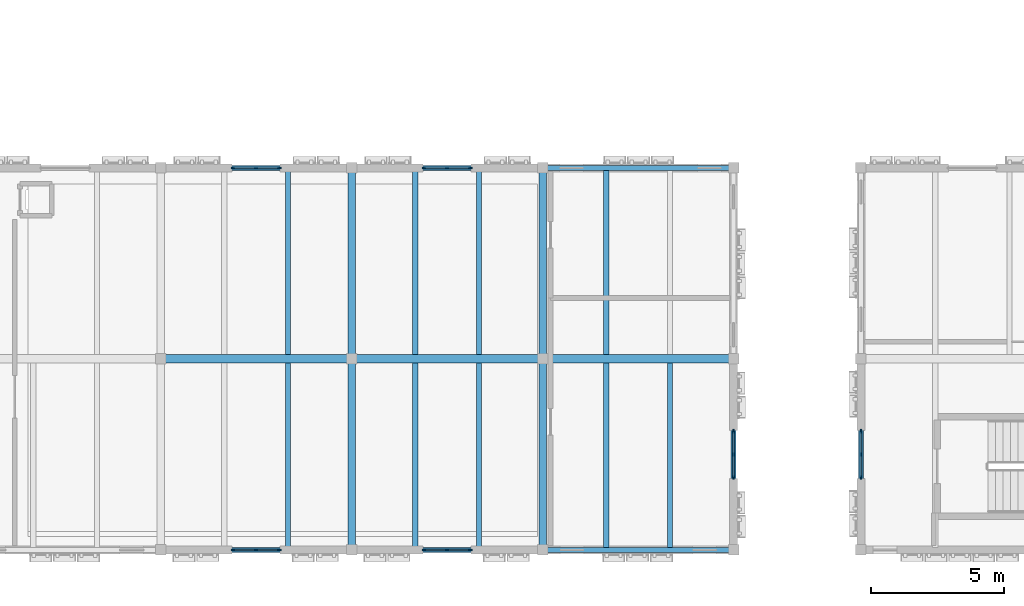
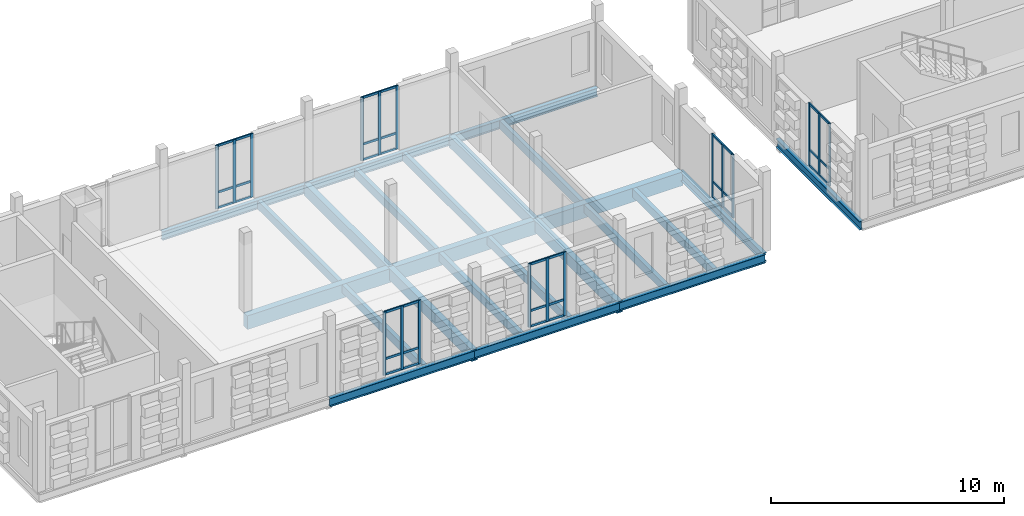
# One storey, part 14 of 81: 36 members, 24 beams, 6 elements without a shape of their own.
"""IFC4 building model written with IfcOpenShell, lengths in metres."""

from ifc_helpers import new_model, si_unit, direction, frame, origin, origin_2d, place, context, subcontext, project, spatial, rectangle, i_section, extrude, material, material_profile, profile_set, type_object, element, aggregate, save


model = new_model("IFC4")

# Units and contexts
model_context = context("Model", 3, precision=1e-05, world=origin(), true_north=direction((0.0, 1.0)))
body_context = subcontext(model_context, "Body", "Model", "MODEL_VIEW")
ifc_project = project(units=[si_unit("LENGTHUNIT", "METRE"), si_unit("AREAUNIT", "SQUARE_METRE"), si_unit("VOLUMEUNIT", "CUBIC_METRE"), si_unit("PLANEANGLEUNIT", "RADIAN"), si_unit("MASSUNIT", "GRAM", prefix="KILO")], contexts=[model_context])

# Site, building, storey
site_placement = place(None, origin())
site = spatial("IfcSite", under=ifc_project, at=site_placement, CompositionType="ELEMENT")
building_placement = place(site_placement, origin())
building = spatial("IfcBuilding", under=site, at=building_placement, Name="Kahlenmark Community Centre", CompositionType="ELEMENT")
storey_placement = place(building_placement, frame((0.0, 0.0, 9.60009765625)))
storey = spatial("IfcBuildingStorey", under=building, at=storey_placement, Name="L02", CompositionType="ELEMENT", Elevation=9.60009765625)

# Beams
ifc_material_1 = material(Name="Glulam GL32h", Category="wood")
ifc_material_profile_1 = material_profile(ifc_material_1, rectangle(XDim=0.280029296875, YDim=0.60009765625, at=origin_2d()), Name="GL32h 280x600")
ifc_profile_set_1 = profile_set([ifc_material_profile_1], Name="Glulam GL32h")
beam_type_1 = type_object("IfcBeamType", Name="BT-BEAM-GL32h280x600", PredefinedType="BEAM", material=ifc_profile_set_1)
for number, where, z_axis, x_axis, name in (
    (1, (72.39990234375, 8.800048828125, -0.52001953125), (0.0, 1.0, 0.0), (-1.0, 0.0, 0.0), "L02 beam BG-GL32h280x600"),
    (2, (72.39990234375, 16.0, -0.52001953125), (0.0, 1.0, 0.0), (-1.0, 0.0, 0.0), "L02 beam BG-GL32h280x600"),
    (3, (79.60009765625, 8.800048828125, -0.52001953125), (0.0, 1.0, 0.0), (-1.0, 0.0, 0.0), "L02 beam BG-GL32h280x600"),
    (4, (79.60009765625, 16.0, -0.52001953125), (0.0, 1.0, 0.0), (-1.0, 0.0, 0.0), "L02 beam BG-GL32h280x600"),
):
    element("IfcBeam", number, at=place(storey_placement, frame(where, z_axis=z_axis, x_axis=x_axis)), inside=storey, type_object=beam_type_1, Name=name, PredefinedType="BEAM", context=body_context, shape_type="SweptSolid", body=[
        extrude(rectangle(XDim=0.280029296875, YDim=0.60009765625, at=origin_2d()), origin(), (0.0, 0.0, 1.0), 7.199951171875),
    ])
ifc_material_profile_2 = material_profile(ifc_material_1, rectangle(XDim=0.320068359375, YDim=0.719970703125, at=origin_2d()), Name="GL32h 320x720")
ifc_profile_set_2 = profile_set([ifc_material_profile_2], Name="Glulam GL32h")
beam_type_2 = type_object("IfcBeamType", Name="BT-BEAM-GL32h320x720", PredefinedType="BEAM", material=ifc_profile_set_2)
beam_1_placement = place(storey_placement, frame((65.199951171875, 16.0, -0.580078125), z_axis=(1.0, 0.0, 0.0), x_axis=(0.0, 1.0, 0.0)))
element("IfcBeam", 5, at=beam_1_placement, inside=storey, type_object=beam_type_2, Name="L02 beam BG-GL32h320x720", PredefinedType="BEAM", context=body_context, shape_type="SweptSolid", body=[
    extrude(rectangle(XDim=0.320068359375, YDim=0.719970703125, at=origin_2d()), origin(), (0.0, 0.0, 1.0), 7.199951171875),
])
beam_2_placement = place(storey_placement, frame((72.39990234375, 16.0, -0.580078125), z_axis=(1.0, 0.0, 0.0), x_axis=(0.0, 1.0, 0.0)))
element("IfcBeam", 6, at=beam_2_placement, inside=storey, type_object=beam_type_2, Name="L02 beam BG-GL32h320x720", PredefinedType="BEAM", context=body_context, shape_type="SweptSolid", body=[
    extrude(rectangle(XDim=0.320068359375, YDim=0.719970703125, at=origin_2d()), origin(), (0.0, 0.0, 1.0), 7.2001953125),
])
beam_3_placement = place(storey_placement, frame((79.60009765625, 16.0, -0.580078125), z_axis=(1.0, 0.0, 0.0), x_axis=(0.0, 1.0, 0.0)))
element("IfcBeam", 7, at=beam_3_placement, inside=storey, type_object=beam_type_2, Name="L02 beam BG-GL32h320x720", PredefinedType="BEAM", context=body_context, shape_type="SweptSolid", body=[
    extrude(rectangle(XDim=0.320068359375, YDim=0.719970703125, at=origin_2d()), origin(), (0.0, 0.0, 1.0), 7.199951171875),
])
ifc_material_2 = material(Name="Glulam GL28h", Category="wood")
ifc_material_profile_3 = material_profile(ifc_material_2, rectangle(XDim=0.199951171875, YDim=0.43994140625, at=origin_2d()), Name="GL28h 200x440")
ifc_profile_set_3 = profile_set([ifc_material_profile_3], Name="Glulam GL28h")
beam_type_3 = type_object("IfcBeamType", Name="BT-JOIST-GL28h200x440", PredefinedType="JOIST", material=ifc_profile_set_3)
for number, where, z_axis, x_axis, name in (
    (8, (70.0, 8.89306640625, -0.440185546875), (0.0, 1.0, 0.0), (-1.0, 0.0, 0.0), "L02 joist BJ-GL28h200x440"),
    (9, (70.0, 16.157958984375, -0.440185546875), (0.0, 1.0, 0.0), (-1.0, 0.0, 0.0), "L02 joist BJ-GL28h200x440"),
    (10, (74.800048828125, 8.89306640625, -0.440185546875), (0.0, 1.0, 0.0), (-1.0, 0.0, 0.0), "L02 joist BJ-GL28h200x440"),
    (11, (77.199951171875, 8.89306640625, -0.440185546875), (0.0, 1.0, 0.0), (-1.0, 0.0, 0.0), "L02 joist BJ-GL28h200x440"),
    (12, (74.800048828125, 16.157958984375, -0.440185546875), (0.0, 1.0, 0.0), (-1.0, 0.0, 0.0), "L02 joist BJ-GL28h200x440"),
    (13, (77.199951171875, 16.157958984375, -0.440185546875), (0.0, 1.0, 0.0), (-1.0, 0.0, 0.0), "L02 joist BJ-GL28h200x440"),
    (14, (82.0, 8.89306640625, -0.440185546875), (0.0, 1.0, 0.0), (-1.0, 0.0, 0.0), "L02 joist BJ-GL28h200x440"),
    (15, (84.39990234375, 8.89306640625, -0.440185546875), (0.0, 1.0, 0.0), (-1.0, 0.0, 0.0), "L02 joist BJ-GL28h200x440"),
    (16, (82.0, 16.157958984375, -0.440185546875), (0.0, 1.0, 0.0), (-1.0, 0.0, 0.0), "L02 joist BJ-GL28h200x440"),
):
    element("IfcBeam", number, at=place(storey_placement, frame(where, z_axis=z_axis, x_axis=x_axis)), inside=storey, type_object=beam_type_3, Name=name, PredefinedType="JOIST", context=body_context, shape_type="SweptSolid", body=[
        extrude(rectangle(XDim=0.199951171875, YDim=0.43994140625, at=origin_2d()), origin(), (0.0, 0.0, 1.0), 6.948974609375),
    ])
ifc_material_3 = material(Name="Steel S355", Category="steel")
ifc_material_profile_4 = material_profile(ifc_material_3, i_section(OverallWidth=0.18994140625, OverallDepth=0.449951171875, WebThickness=0.009521484375, FlangeThickness=0.0146484375, at=origin_2d()), Name="IPE 450")
ifc_profile_set_4 = profile_set([ifc_material_profile_4], Name="Steel S355")
beam_type_4 = type_object("IfcBeamType", Name="BT-SPANDREL-IPE450", PredefinedType="SPANDREL", material=ifc_profile_set_4)
beam_4_placement = place(storey_placement, frame((65.199951171875, 8.800048828125, -0.445068359375), z_axis=(1.0, 0.0, 0.0), x_axis=(0.0, 1.0, 0.0)))
element("IfcBeam", 17, at=beam_4_placement, inside=storey, type_object=beam_type_4, Name="L02 spandrel SP-IPE450", PredefinedType="SPANDREL", context=body_context, shape_type="SweptSolid", body=[
    extrude(i_section(OverallWidth=0.18994140625, OverallDepth=0.449951171875, WebThickness=0.009521484375, FlangeThickness=0.0146484375, at=origin_2d()), origin(), (0.0, 0.0, 1.0), 7.199951171875),
])
beam_5_placement = place(storey_placement, frame((72.39990234375, 8.800048828125, -0.445068359375), z_axis=(1.0, 0.0, 0.0), x_axis=(0.0, 1.0, 0.0)))
element("IfcBeam", 18, at=beam_5_placement, inside=storey, type_object=beam_type_4, Name="L02 spandrel SP-IPE450", PredefinedType="SPANDREL", context=body_context, shape_type="SweptSolid", body=[
    extrude(i_section(OverallWidth=0.18994140625, OverallDepth=0.449951171875, WebThickness=0.009521484375, FlangeThickness=0.0146484375, at=origin_2d()), origin(), (0.0, 0.0, 1.0), 7.2001953125),
])
for number, where, z_axis, x_axis, name in (
    (19, (79.60009765625, 8.800048828125, -0.445068359375), (1.0, 0.0, 0.0), (0.0, 1.0, 0.0), "L02 spandrel SP-IPE450"),
    (20, (65.199951171875, 23.199951171875, -0.445068359375), (1.0, 0.0, 0.0), (0.0, 1.0, 0.0), "L02 spandrel SP-IPE450"),
):
    element("IfcBeam", number, at=place(storey_placement, frame(where, z_axis=z_axis, x_axis=x_axis)), inside=storey, type_object=beam_type_4, Name=name, PredefinedType="SPANDREL", context=body_context, shape_type="SweptSolid", body=[
        extrude(i_section(OverallWidth=0.18994140625, OverallDepth=0.449951171875, WebThickness=0.009521484375, FlangeThickness=0.0146484375, at=origin_2d()), origin(), (0.0, 0.0, 1.0), 7.199951171875),
    ])
beam_6_placement = place(storey_placement, frame((72.39990234375, 23.199951171875, -0.445068359375), z_axis=(1.0, 0.0, 0.0), x_axis=(0.0, 1.0, 0.0)))
element("IfcBeam", 21, at=beam_6_placement, inside=storey, type_object=beam_type_4, Name="L02 spandrel SP-IPE450", PredefinedType="SPANDREL", context=body_context, shape_type="SweptSolid", body=[
    extrude(i_section(OverallWidth=0.18994140625, OverallDepth=0.449951171875, WebThickness=0.009521484375, FlangeThickness=0.0146484375, at=origin_2d()), origin(), (0.0, 0.0, 1.0), 7.2001953125),
])
for number, where, z_axis, x_axis, name in (
    (22, (79.60009765625, 23.199951171875, -0.445068359375), (1.0, 0.0, 0.0), (0.0, 1.0, 0.0), "L02 spandrel SP-IPE450"),
    (23, (86.800048828125, 8.800048828125, -0.445068359375), (0.0, 1.0, 0.0), (-1.0, 0.0, 0.0), "L02 spandrel SP-IPE450"),
    (24, (91.60009765625, 8.800048828125, -0.445068359375), (0.0, 1.0, 0.0), (-1.0, 0.0, 0.0), "L02 spandrel SP-IPE450"),
):
    element("IfcBeam", number, at=place(storey_placement, frame(where, z_axis=z_axis, x_axis=x_axis)), inside=storey, type_object=beam_type_4, Name=name, PredefinedType="SPANDREL", context=body_context, shape_type="SweptSolid", body=[
        extrude(i_section(OverallWidth=0.18994140625, OverallDepth=0.449951171875, WebThickness=0.009521484375, FlangeThickness=0.0146484375, at=origin_2d()), origin(), (0.0, 0.0, 1.0), 7.199951171875),
    ])

# Curtain wall, members
ifc_material_4 = material(Name="Anodised aluminium unitised curtain wall", Category="aluminium")
curtain_wall_type_1 = type_object("IfcCurtainWallType", Name="CWT-UNIT-180X333", PredefinedType="USERDEFINED", material=ifc_material_4)
curtain_wall_1_placement = place(storey_placement, origin())
curtain_wall_1 = element("IfcCurtainWall", 25, at=curtain_wall_1_placement, inside=storey, type_object=curtain_wall_type_1, Name="Unitised curtain wall CW-081", ObjectType="UNITISED CURTAIN WALL", PredefinedType="USERDEFINED")
ifc_material_5 = material(Name="Anodised aluminium 6063-T6", Category="aluminium")
ifc_material_profile_5 = material_profile(ifc_material_5, rectangle(XDim=0.06005859375, YDim=0.139892578125, at=origin_2d()), Name="ALU MULLION 60x140")
ifc_profile_set_5 = profile_set([ifc_material_profile_5], Name="Anodised aluminium 6063-T6")
member_type_1 = type_object("IfcMemberType", Name="MT-MUL-140", PredefinedType="MULLION", material=ifc_profile_set_5)
member_1_placement = place(storey_placement, frame((67.929931640625, 8.800048828125, 0.0), z_axis=(0.0, 0.0, 1.0), x_axis=(0.0, 1.0, 0.0)))
member_1 = element("IfcMember", 26, at=member_1_placement, type_object=member_type_1, Name="CW-081 mullion 1", PredefinedType="MULLION", context=body_context, shape_type="SweptSolid", body=[
    extrude(rectangle(XDim=0.06005859375, YDim=0.139892578125, at=origin_2d()), origin(), (0.0, 0.0, 1.0), 3.329833984375),
])
member_2_placement = place(storey_placement, frame((68.800048828125, 8.800048828125, 0.0), z_axis=(0.0, 0.0, 1.0), x_axis=(0.0, 1.0, 0.0)))
member_2 = element("IfcMember", 27, at=member_2_placement, type_object=member_type_1, Name="CW-081 mullion 2", PredefinedType="MULLION", context=body_context, shape_type="SweptSolid", body=[
    extrude(rectangle(XDim=0.06005859375, YDim=0.139892578125, at=origin_2d()), origin(), (0.0, 0.0, 1.0), 3.329833984375),
])
member_3_placement = place(storey_placement, frame((69.669921875, 8.800048828125, 0.0), z_axis=(0.0, 0.0, 1.0), x_axis=(0.0, 1.0, 0.0)))
member_3 = element("IfcMember", 28, at=member_3_placement, type_object=member_type_1, Name="CW-081 mullion 3", PredefinedType="MULLION", context=body_context, shape_type="SweptSolid", body=[
    extrude(rectangle(XDim=0.06005859375, YDim=0.139892578125, at=origin_2d()), origin(), (0.0, 0.0, 1.0), 3.329833984375),
])

curtain_wall_2_placement = place(storey_placement, origin())
curtain_wall_2 = element("IfcCurtainWall", 29, at=curtain_wall_2_placement, inside=storey, type_object=curtain_wall_type_1, Name="Unitised curtain wall CW-082", ObjectType="UNITISED CURTAIN WALL", PredefinedType="USERDEFINED")
member_4_placement = place(storey_placement, frame((75.1298828125, 8.800048828125, 0.0), z_axis=(0.0, 0.0, 1.0), x_axis=(0.0, 1.0, 0.0)))
member_4 = element("IfcMember", 30, at=member_4_placement, type_object=member_type_1, Name="CW-082 mullion 1", PredefinedType="MULLION", context=body_context, shape_type="SweptSolid", body=[
    extrude(rectangle(XDim=0.06005859375, YDim=0.139892578125, at=origin_2d()), origin(), (0.0, 0.0, 1.0), 3.329833984375),
])
member_5_placement = place(storey_placement, frame((76.0, 8.800048828125, 0.0), z_axis=(0.0, 0.0, 1.0), x_axis=(0.0, 1.0, 0.0)))
member_5 = element("IfcMember", 31, at=member_5_placement, type_object=member_type_1, Name="CW-082 mullion 2", PredefinedType="MULLION", context=body_context, shape_type="SweptSolid", body=[
    extrude(rectangle(XDim=0.06005859375, YDim=0.139892578125, at=origin_2d()), origin(), (0.0, 0.0, 1.0), 3.329833984375),
])
member_6_placement = place(storey_placement, frame((76.8701171875, 8.800048828125, 0.0), z_axis=(0.0, 0.0, 1.0), x_axis=(0.0, 1.0, 0.0)))
member_6 = element("IfcMember", 32, at=member_6_placement, type_object=member_type_1, Name="CW-082 mullion 3", PredefinedType="MULLION", context=body_context, shape_type="SweptSolid", body=[
    extrude(rectangle(XDim=0.06005859375, YDim=0.139892578125, at=origin_2d()), origin(), (0.0, 0.0, 1.0), 3.329833984375),
])

curtain_wall_3_placement = place(storey_placement, origin())
curtain_wall_3 = element("IfcCurtainWall", 33, at=curtain_wall_3_placement, inside=storey, type_object=curtain_wall_type_1, Name="Unitised curtain wall CW-085", ObjectType="UNITISED CURTAIN WALL", PredefinedType="USERDEFINED")
member_7_placement = place(storey_placement, frame((69.669921875, 23.199951171875, 0.0), z_axis=(0.0, 0.0, 1.0), x_axis=(0.0, -1.0, 0.0)))
member_7 = element("IfcMember", 34, at=member_7_placement, type_object=member_type_1, Name="CW-085 mullion 1", PredefinedType="MULLION", context=body_context, shape_type="SweptSolid", body=[
    extrude(rectangle(XDim=0.06005859375, YDim=0.139892578125, at=origin_2d()), origin(), (0.0, 0.0, 1.0), 3.329833984375),
])
member_8_placement = place(storey_placement, frame((68.800048828125, 23.199951171875, 0.0), z_axis=(0.0, 0.0, 1.0), x_axis=(0.0, -1.0, 0.0)))
member_8 = element("IfcMember", 35, at=member_8_placement, type_object=member_type_1, Name="CW-085 mullion 2", PredefinedType="MULLION", context=body_context, shape_type="SweptSolid", body=[
    extrude(rectangle(XDim=0.06005859375, YDim=0.139892578125, at=origin_2d()), origin(), (0.0, 0.0, 1.0), 3.329833984375),
])
member_9_placement = place(storey_placement, frame((67.929931640625, 23.199951171875, 0.0), z_axis=(0.0, 0.0, 1.0), x_axis=(0.0, -1.0, 0.0)))
member_9 = element("IfcMember", 36, at=member_9_placement, type_object=member_type_1, Name="CW-085 mullion 3", PredefinedType="MULLION", context=body_context, shape_type="SweptSolid", body=[
    extrude(rectangle(XDim=0.06005859375, YDim=0.139892578125, at=origin_2d()), origin(), (0.0, 0.0, 1.0), 3.329833984375),
])

curtain_wall_4_placement = place(storey_placement, origin())
curtain_wall_4 = element("IfcCurtainWall", 37, at=curtain_wall_4_placement, inside=storey, type_object=curtain_wall_type_1, Name="Unitised curtain wall CW-086", ObjectType="UNITISED CURTAIN WALL", PredefinedType="USERDEFINED")
member_10_placement = place(storey_placement, frame((76.8701171875, 23.199951171875, 0.0), z_axis=(0.0, 0.0, 1.0), x_axis=(0.0, -1.0, 0.0)))
member_10 = element("IfcMember", 38, at=member_10_placement, type_object=member_type_1, Name="CW-086 mullion 1", PredefinedType="MULLION", context=body_context, shape_type="SweptSolid", body=[
    extrude(rectangle(XDim=0.06005859375, YDim=0.139892578125, at=origin_2d()), origin(), (0.0, 0.0, 1.0), 3.329833984375),
])
member_11_placement = place(storey_placement, frame((76.0, 23.199951171875, 0.0), z_axis=(0.0, 0.0, 1.0), x_axis=(0.0, -1.0, 0.0)))
member_11 = element("IfcMember", 39, at=member_11_placement, type_object=member_type_1, Name="CW-086 mullion 2", PredefinedType="MULLION", context=body_context, shape_type="SweptSolid", body=[
    extrude(rectangle(XDim=0.06005859375, YDim=0.139892578125, at=origin_2d()), origin(), (0.0, 0.0, 1.0), 3.329833984375),
])
member_12_placement = place(storey_placement, frame((75.1298828125, 23.199951171875, 0.0), z_axis=(0.0, 0.0, 1.0), x_axis=(0.0, -1.0, 0.0)))
member_12 = element("IfcMember", 40, at=member_12_placement, type_object=member_type_1, Name="CW-086 mullion 3", PredefinedType="MULLION", context=body_context, shape_type="SweptSolid", body=[
    extrude(rectangle(XDim=0.06005859375, YDim=0.139892578125, at=origin_2d()), origin(), (0.0, 0.0, 1.0), 3.329833984375),
])

curtain_wall_5_placement = place(storey_placement, origin())
curtain_wall_5 = element("IfcCurtainWall", 41, at=curtain_wall_5_placement, inside=storey, type_object=curtain_wall_type_1, Name="Unitised curtain wall CW-088", ObjectType="UNITISED CURTAIN WALL", PredefinedType="USERDEFINED")
member_13_placement = place(storey_placement, frame((86.800048828125, 11.530029296875, 0.0), z_axis=(0.0, 0.0, 1.0), x_axis=(-1.0, 0.0, 0.0)))
member_13 = element("IfcMember", 42, at=member_13_placement, type_object=member_type_1, Name="CW-088 mullion 1", PredefinedType="MULLION", context=body_context, shape_type="SweptSolid", body=[
    extrude(rectangle(XDim=0.06005859375, YDim=0.139892578125, at=origin_2d()), origin(), (0.0, 0.0, 1.0), 3.329833984375),
])
member_14_placement = place(storey_placement, frame((86.800048828125, 12.39990234375, 0.0), z_axis=(0.0, 0.0, 1.0), x_axis=(-1.0, 0.0, 0.0)))
member_14 = element("IfcMember", 43, at=member_14_placement, type_object=member_type_1, Name="CW-088 mullion 2", PredefinedType="MULLION", context=body_context, shape_type="SweptSolid", body=[
    extrude(rectangle(XDim=0.06005859375, YDim=0.139892578125, at=origin_2d()), origin(), (0.0, 0.0, 1.0), 3.329833984375),
])
member_15_placement = place(storey_placement, frame((86.800048828125, 13.27001953125, 0.0), z_axis=(0.0, 0.0, 1.0), x_axis=(-1.0, 0.0, 0.0)))
member_15 = element("IfcMember", 44, at=member_15_placement, type_object=member_type_1, Name="CW-088 mullion 3", PredefinedType="MULLION", context=body_context, shape_type="SweptSolid", body=[
    extrude(rectangle(XDim=0.06005859375, YDim=0.139892578125, at=origin_2d()), origin(), (0.0, 0.0, 1.0), 3.329833984375),
])

curtain_wall_type_2 = type_object("IfcCurtainWallType", Name="CWT-UNIT-180X327", PredefinedType="USERDEFINED", material=ifc_material_4)
curtain_wall_6_placement = place(storey_placement, origin())
curtain_wall_6 = element("IfcCurtainWall", 45, at=curtain_wall_6_placement, inside=storey, type_object=curtain_wall_type_2, Name="Unitised curtain wall CW-104", ObjectType="UNITISED CURTAIN WALL", PredefinedType="USERDEFINED")
member_16_placement = place(storey_placement, frame((91.60009765625, 13.27001953125, 0.0), z_axis=(0.0, 0.0, 1.0), x_axis=(1.0, 0.0, 0.0)))
member_16 = element("IfcMember", 46, at=member_16_placement, type_object=member_type_1, Name="CW-104 mullion 1", PredefinedType="MULLION", context=body_context, shape_type="SweptSolid", body=[
    extrude(rectangle(XDim=0.06005859375, YDim=0.139892578125, at=origin_2d()), origin(), (0.0, 0.0, 1.0), 3.27001953125),
])
member_17_placement = place(storey_placement, frame((91.60009765625, 12.39990234375, 0.0), z_axis=(0.0, 0.0, 1.0), x_axis=(1.0, 0.0, 0.0)))
member_17 = element("IfcMember", 47, at=member_17_placement, type_object=member_type_1, Name="CW-104 mullion 2", PredefinedType="MULLION", context=body_context, shape_type="SweptSolid", body=[
    extrude(rectangle(XDim=0.06005859375, YDim=0.139892578125, at=origin_2d()), origin(), (0.0, 0.0, 1.0), 3.27001953125),
])
member_18_placement = place(storey_placement, frame((91.60009765625, 11.530029296875, 0.0), z_axis=(0.0, 0.0, 1.0), x_axis=(1.0, 0.0, 0.0)))
member_18 = element("IfcMember", 48, at=member_18_placement, type_object=member_type_1, Name="CW-104 mullion 3", PredefinedType="MULLION", context=body_context, shape_type="SweptSolid", body=[
    extrude(rectangle(XDim=0.06005859375, YDim=0.139892578125, at=origin_2d()), origin(), (0.0, 0.0, 1.0), 3.27001953125),
])

# Member
ifc_material_profile_6 = material_profile(ifc_material_5, rectangle(XDim=0.06005859375, YDim=0.1201171875, at=origin_2d()), Name="ALU TRANSOM 60x120")
ifc_profile_set_6 = profile_set([ifc_material_profile_6], Name="Anodised aluminium 6063-T6")
member_type_2 = type_object("IfcMemberType", Name="MT-TRN-120", PredefinedType="USERDEFINED", material=ifc_profile_set_6)
member_19_placement = place(storey_placement, frame((67.929931640625, 8.800048828125, 0.039794921875), z_axis=(1.0, 0.0, 0.0), x_axis=(0.0, 1.0, 0.0)))
member_19 = element("IfcMember", 49, at=member_19_placement, type_object=member_type_2, Name="CW-081 transom 1", ObjectType="TRANSOM", PredefinedType="USERDEFINED", context=body_context, shape_type="SweptSolid", body=[
    extrude(rectangle(XDim=0.06005859375, YDim=0.1201171875, at=origin_2d()), origin(), (0.0, 0.0, 1.0), 1.739990234375),
])

member_20_placement = place(storey_placement, frame((67.929931640625, 8.800048828125, 0.849853515625), z_axis=(1.0, 0.0, 0.0), x_axis=(0.0, 1.0, 0.0)))
member_20 = element("IfcMember", 50, at=member_20_placement, type_object=member_type_2, Name="CW-081 transom 2", ObjectType="TRANSOM", PredefinedType="USERDEFINED", context=body_context, shape_type="SweptSolid", body=[
    extrude(rectangle(XDim=0.06005859375, YDim=0.1201171875, at=origin_2d()), origin(), (0.0, 0.0, 1.0), 1.739990234375),
])

member_21_placement = place(storey_placement, frame((67.929931640625, 8.800048828125, 3.289794921875), z_axis=(1.0, 0.0, 0.0), x_axis=(0.0, 1.0, 0.0)))
member_21 = element("IfcMember", 51, at=member_21_placement, type_object=member_type_2, Name="CW-081 transom 3", ObjectType="TRANSOM", PredefinedType="USERDEFINED", context=body_context, shape_type="SweptSolid", body=[
    extrude(rectangle(XDim=0.06005859375, YDim=0.1201171875, at=origin_2d()), origin(), (0.0, 0.0, 1.0), 1.739990234375),
])

aggregate(curtain_wall_1, [member_1, member_2, member_3, member_19, member_20, member_21])

member_22_placement = place(storey_placement, frame((75.1298828125, 8.800048828125, 0.039794921875), z_axis=(1.0, 0.0, 0.0), x_axis=(0.0, 1.0, 0.0)))
member_22 = element("IfcMember", 52, at=member_22_placement, type_object=member_type_2, Name="CW-082 transom 1", ObjectType="TRANSOM", PredefinedType="USERDEFINED", context=body_context, shape_type="SweptSolid", body=[
    extrude(rectangle(XDim=0.06005859375, YDim=0.1201171875, at=origin_2d()), origin(), (0.0, 0.0, 1.0), 1.740234375),
])

member_23_placement = place(storey_placement, frame((75.1298828125, 8.800048828125, 0.849853515625), z_axis=(1.0, 0.0, 0.0), x_axis=(0.0, 1.0, 0.0)))
member_23 = element("IfcMember", 53, at=member_23_placement, type_object=member_type_2, Name="CW-082 transom 2", ObjectType="TRANSOM", PredefinedType="USERDEFINED", context=body_context, shape_type="SweptSolid", body=[
    extrude(rectangle(XDim=0.06005859375, YDim=0.1201171875, at=origin_2d()), origin(), (0.0, 0.0, 1.0), 1.740234375),
])

member_24_placement = place(storey_placement, frame((75.1298828125, 8.800048828125, 3.289794921875), z_axis=(1.0, 0.0, 0.0), x_axis=(0.0, 1.0, 0.0)))
member_24 = element("IfcMember", 54, at=member_24_placement, type_object=member_type_2, Name="CW-082 transom 3", ObjectType="TRANSOM", PredefinedType="USERDEFINED", context=body_context, shape_type="SweptSolid", body=[
    extrude(rectangle(XDim=0.06005859375, YDim=0.1201171875, at=origin_2d()), origin(), (0.0, 0.0, 1.0), 1.740234375),
])

aggregate(curtain_wall_2, [member_4, member_5, member_6, member_22, member_23, member_24])

member_25_placement = place(storey_placement, frame((69.669921875, 23.199951171875, 0.039794921875), z_axis=(-1.0, 0.0, 0.0), x_axis=(0.0, -1.0, 0.0)))
member_25 = element("IfcMember", 55, at=member_25_placement, type_object=member_type_2, Name="CW-085 transom 1", ObjectType="TRANSOM", PredefinedType="USERDEFINED", context=body_context, shape_type="SweptSolid", body=[
    extrude(rectangle(XDim=0.06005859375, YDim=0.1201171875, at=origin_2d()), origin(), (0.0, 0.0, 1.0), 1.739990234375),
])

member_26_placement = place(storey_placement, frame((69.669921875, 23.199951171875, 0.849853515625), z_axis=(-1.0, 0.0, 0.0), x_axis=(0.0, -1.0, 0.0)))
member_26 = element("IfcMember", 56, at=member_26_placement, type_object=member_type_2, Name="CW-085 transom 2", ObjectType="TRANSOM", PredefinedType="USERDEFINED", context=body_context, shape_type="SweptSolid", body=[
    extrude(rectangle(XDim=0.06005859375, YDim=0.1201171875, at=origin_2d()), origin(), (0.0, 0.0, 1.0), 1.739990234375),
])

member_27_placement = place(storey_placement, frame((69.669921875, 23.199951171875, 3.289794921875), z_axis=(-1.0, 0.0, 0.0), x_axis=(0.0, -1.0, 0.0)))
member_27 = element("IfcMember", 57, at=member_27_placement, type_object=member_type_2, Name="CW-085 transom 3", ObjectType="TRANSOM", PredefinedType="USERDEFINED", context=body_context, shape_type="SweptSolid", body=[
    extrude(rectangle(XDim=0.06005859375, YDim=0.1201171875, at=origin_2d()), origin(), (0.0, 0.0, 1.0), 1.739990234375),
])

aggregate(curtain_wall_3, [member_7, member_8, member_9, member_25, member_26, member_27])

member_28_placement = place(storey_placement, frame((76.8701171875, 23.199951171875, 0.039794921875), z_axis=(-1.0, 0.0, 0.0), x_axis=(0.0, -1.0, 0.0)))
member_28 = element("IfcMember", 58, at=member_28_placement, type_object=member_type_2, Name="CW-086 transom 1", ObjectType="TRANSOM", PredefinedType="USERDEFINED", context=body_context, shape_type="SweptSolid", body=[
    extrude(rectangle(XDim=0.06005859375, YDim=0.1201171875, at=origin_2d()), origin(), (0.0, 0.0, 1.0), 1.740234375),
])

member_29_placement = place(storey_placement, frame((76.8701171875, 23.199951171875, 0.849853515625), z_axis=(-1.0, 0.0, 0.0), x_axis=(0.0, -1.0, 0.0)))
member_29 = element("IfcMember", 59, at=member_29_placement, type_object=member_type_2, Name="CW-086 transom 2", ObjectType="TRANSOM", PredefinedType="USERDEFINED", context=body_context, shape_type="SweptSolid", body=[
    extrude(rectangle(XDim=0.06005859375, YDim=0.1201171875, at=origin_2d()), origin(), (0.0, 0.0, 1.0), 1.740234375),
])

member_30_placement = place(storey_placement, frame((76.8701171875, 23.199951171875, 3.289794921875), z_axis=(-1.0, 0.0, 0.0), x_axis=(0.0, -1.0, 0.0)))
member_30 = element("IfcMember", 60, at=member_30_placement, type_object=member_type_2, Name="CW-086 transom 3", ObjectType="TRANSOM", PredefinedType="USERDEFINED", context=body_context, shape_type="SweptSolid", body=[
    extrude(rectangle(XDim=0.06005859375, YDim=0.1201171875, at=origin_2d()), origin(), (0.0, 0.0, 1.0), 1.740234375),
])

aggregate(curtain_wall_4, [member_10, member_11, member_12, member_28, member_29, member_30])

member_31_placement = place(storey_placement, frame((86.800048828125, 11.530029296875, 0.039794921875), z_axis=(0.0, 1.0, 0.0), x_axis=(-1.0, 0.0, 0.0)))
member_31 = element("IfcMember", 61, at=member_31_placement, type_object=member_type_2, Name="CW-088 transom 1", ObjectType="TRANSOM", PredefinedType="USERDEFINED", context=body_context, shape_type="SweptSolid", body=[
    extrude(rectangle(XDim=0.06005859375, YDim=0.1201171875, at=origin_2d()), origin(), (0.0, 0.0, 1.0), 1.739990234375),
])

member_32_placement = place(storey_placement, frame((86.800048828125, 11.530029296875, 0.849853515625), z_axis=(0.0, 1.0, 0.0), x_axis=(-1.0, 0.0, 0.0)))
member_32 = element("IfcMember", 62, at=member_32_placement, type_object=member_type_2, Name="CW-088 transom 2", ObjectType="TRANSOM", PredefinedType="USERDEFINED", context=body_context, shape_type="SweptSolid", body=[
    extrude(rectangle(XDim=0.06005859375, YDim=0.1201171875, at=origin_2d()), origin(), (0.0, 0.0, 1.0), 1.739990234375),
])

member_33_placement = place(storey_placement, frame((86.800048828125, 11.530029296875, 3.289794921875), z_axis=(0.0, 1.0, 0.0), x_axis=(-1.0, 0.0, 0.0)))
member_33 = element("IfcMember", 63, at=member_33_placement, type_object=member_type_2, Name="CW-088 transom 3", ObjectType="TRANSOM", PredefinedType="USERDEFINED", context=body_context, shape_type="SweptSolid", body=[
    extrude(rectangle(XDim=0.06005859375, YDim=0.1201171875, at=origin_2d()), origin(), (0.0, 0.0, 1.0), 1.739990234375),
])

aggregate(curtain_wall_5, [member_13, member_14, member_15, member_31, member_32, member_33])

member_34_placement = place(storey_placement, frame((91.60009765625, 13.27001953125, 0.039794921875), z_axis=(0.0, -1.0, 0.0), x_axis=(1.0, 0.0, 0.0)))
member_34 = element("IfcMember", 64, at=member_34_placement, type_object=member_type_2, Name="CW-104 transom 1", ObjectType="TRANSOM", PredefinedType="USERDEFINED", context=body_context, shape_type="SweptSolid", body=[
    extrude(rectangle(XDim=0.06005859375, YDim=0.1201171875, at=origin_2d()), origin(), (0.0, 0.0, 1.0), 1.739990234375),
])

member_35_placement = place(storey_placement, frame((91.60009765625, 13.27001953125, 0.849853515625), z_axis=(0.0, -1.0, 0.0), x_axis=(1.0, 0.0, 0.0)))
member_35 = element("IfcMember", 65, at=member_35_placement, type_object=member_type_2, Name="CW-104 transom 2", ObjectType="TRANSOM", PredefinedType="USERDEFINED", context=body_context, shape_type="SweptSolid", body=[
    extrude(rectangle(XDim=0.06005859375, YDim=0.1201171875, at=origin_2d()), origin(), (0.0, 0.0, 1.0), 1.739990234375),
])

member_36_placement = place(storey_placement, frame((91.60009765625, 13.27001953125, 3.22998046875), z_axis=(0.0, -1.0, 0.0), x_axis=(1.0, 0.0, 0.0)))
member_36 = element("IfcMember", 66, at=member_36_placement, type_object=member_type_2, Name="CW-104 transom 3", ObjectType="TRANSOM", PredefinedType="USERDEFINED", context=body_context, shape_type="SweptSolid", body=[
    extrude(rectangle(XDim=0.06005859375, YDim=0.1201171875, at=origin_2d()), origin(), (0.0, 0.0, 1.0), 1.739990234375),
])

aggregate(curtain_wall_6, [member_16, member_17, member_18, member_34, member_35, member_36])

save(model, "model.ifc")
